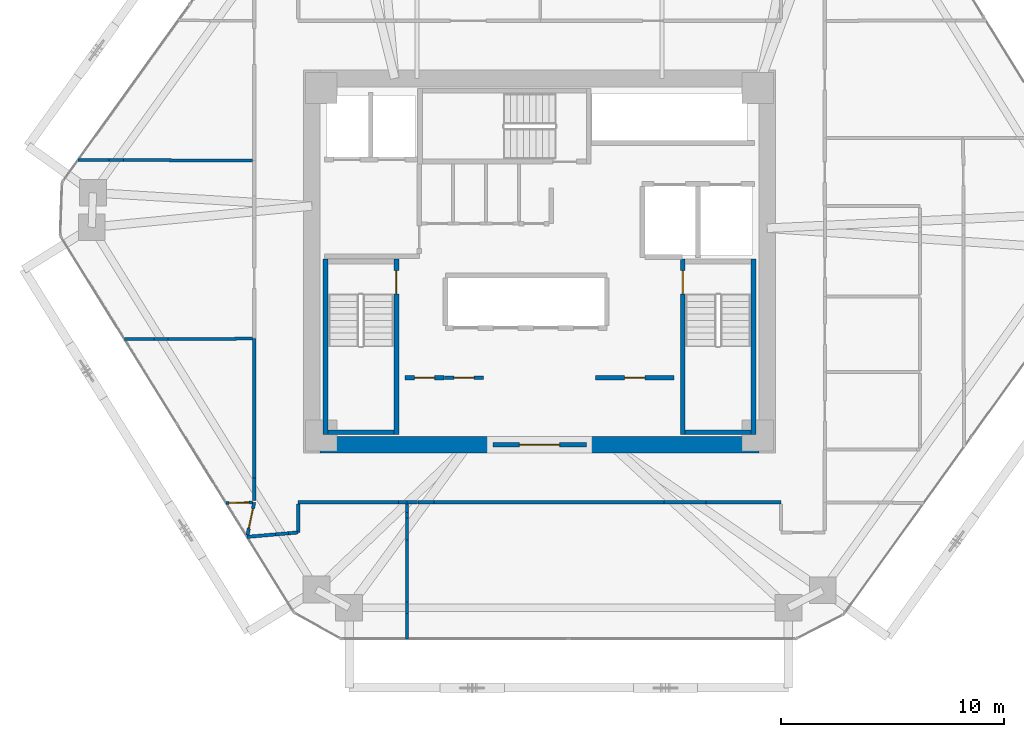
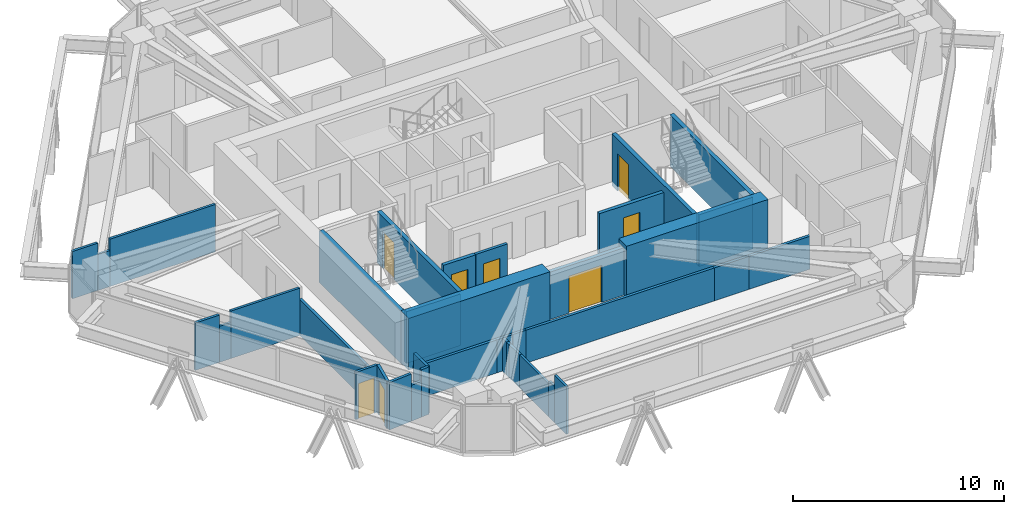
# One storey, part 12 of 17: 39 walls, 8 doors, 8 openings.
"""IFC4 building model written with IfcOpenShell, lengths in metres."""

from ifc_helpers import new_model, si_unit, direction, frame, frame_2d, origin, place, context, subcontext, project, spatial, rectangle, extrude, source, transform, mapped, material, layer, layer_set, type_object, type_shapes, element, fill, save


model = new_model("IFC4")

# Units and contexts
model_context = context("Model", 3, precision=1e-05, world=origin(), true_north=direction((0.0, 1.0)))
body_context = subcontext(model_context, "Body", "Model", "MODEL_VIEW")
ifc_project = project(units=[si_unit("LENGTHUNIT", "METRE"), si_unit("AREAUNIT", "SQUARE_METRE"), si_unit("VOLUMEUNIT", "CUBIC_METRE"), si_unit("PLANEANGLEUNIT", "RADIAN"), si_unit("MASSUNIT", "GRAM", prefix="KILO")], contexts=[model_context])

# Site, building, storey
site_placement = place(None, origin())
site = spatial("IfcSite", under=ifc_project, at=site_placement, CompositionType="ELEMENT")
building_placement = place(site_placement, origin())
building = spatial("IfcBuilding", under=site, at=building_placement, Name="Durnholm Broadcast Tower", CompositionType="ELEMENT")
storey_placement = place(building_placement, frame((0.0, 0.0, 137.10009765625)))
storey = spatial("IfcBuildingStorey", under=building, at=storey_placement, Name="L37", CompositionType="ELEMENT", Elevation=137.10009765625)

# Walls
ifc_material_1 = material(Name="Concrete C70/85", Category="concrete")
ifc_layer_1 = layer(ifc_material_1, 0.75)
ifc_layer_set_1 = layer_set([ifc_layer_1], Name="Concrete C70/85")
wall_type_1 = type_object("IfcWallType", Name="WALL-CW-750", PredefinedType="SHEAR", material=ifc_layer_set_1)
for number, where, z_axis, x_axis, name in (
    (1, (-9.85009765625, -8.22509765625, 0.0), (0.0, 0.0, 1.0), (1.0, 0.0, 0.0), "L37 central core shear wall CW-S1"),
    (2, (2.10009765625, -8.22509765625, 0.0), (0.0, 0.0, 1.0), (1.0, 0.0, 0.0), "L37 central core shear wall CW-S2"),
):
    element("IfcWall", number, at=place(storey_placement, frame(where, z_axis=z_axis, x_axis=x_axis)), inside=storey, type_object=wall_type_1, Name=name, PredefinedType="SHEAR", context=body_context, shape_type="SweptSolid", body=[
        extrude(rectangle(XDim=7.75, YDim=0.75, at=frame_2d((3.875, 0.0))), origin(), (0.0, 0.0, 1.0), 3.0),
    ])

# Wall, opening, door
ifc_material_2 = material(Name="Fire-Rated Gypsum Shaftwall", Category="concrete")
ifc_layer_2 = layer(ifc_material_2, 0.199951171875)
ifc_layer_set_2 = layer_set([ifc_layer_2], Name="Fire-Rated Gypsum Shaftwall")
wall_type_2 = type_object("IfcWallType", Name="WALL-LOB-200", PredefinedType="SOLIDWALL", material=ifc_layer_set_2)
wall_1_placement = place(storey_placement, frame((-2.10009765625, -8.22509765625, 0.0), z_axis=(0.0, 0.0, 1.0), x_axis=(1.0, 0.0, 0.0)))
wall_1 = element("IfcWall", 3, at=wall_1_placement, inside=storey, type_object=wall_type_2, Name="L37 south core lobby fire screen", PredefinedType="SOLIDWALL", context=body_context, shape_type="SweptSolid", body=[
    extrude(rectangle(XDim=4.2001953125, YDim=0.199951171875, at=frame_2d((2.10009765625, 0.0))), origin(), (0.0, 0.0, 1.0), 2.744873046875),
])
opening_1_placement = place(wall_1_placement, frame((1.199951171875, 0.0, 0.0)))
opening_1 = element("IfcOpeningElement", 4, at=opening_1_placement, cuts=wall_1, Name="Opening DP-60", PredefinedType="OPENING", context=body_context, shape_type="SweptSolid", body=[
    extrude(rectangle(XDim=1.800048828125, YDim=2.14990234375, at=frame_2d((0.89990234375, 1.074951171875))), frame((0.0, 0.10986328125, 0.0), z_axis=(0.0, -1.0, 0.0), x_axis=(1.0, 0.0, 0.0)), (0.0, 0.0, 1.0), 0.219970703125),
])
ifc_material_3 = material(Name="Fire-Rated Double Corridor Door", Category="steel")
ifc_layer_3 = layer(ifc_material_3, 0.050048828125)
ifc_layer_set_3 = layer_set([ifc_layer_3], Name="Fire-Rated Double Corridor Door")
door_type_1 = type_object("IfcDoorType", Name="DOOR-PAIR-FD60", OperationType="DOUBLE_DOOR_SINGLE_SWING", PredefinedType="DOOR", material=ifc_layer_set_3)
shared_shape_1 = source(origin(), body_context, "Body", "SweptSolid", [
    extrude(rectangle(XDim=1.800048828125, YDim=2.14990234375, at=frame_2d((0.89990234375, 1.074951171875))), frame((0.0, 0.02490234375, 0.0), z_axis=(0.0, -1.0, 0.0), x_axis=(1.0, 0.0, 0.0)), (0.0, 0.0, 1.0), 0.050048828125),
])
type_shapes(door_type_1, [shared_shape_1])
door_1_placement = place(opening_1_placement, origin())
door_1 = element("IfcDoor", 5, at=door_1_placement, inside=storey, type_object=door_type_1, Name="L37 south core lobby double fire door", OperationType="DOUBLE_DOOR_SINGLE_SWING", OverallHeight=2.14990234375, OverallWidth=1.800048828125, PredefinedType="DOOR", context=body_context, shape_type="MappedRepresentation", body=[
    mapped(shared_shape_1, transform((0.0, 0.0, 0.0), x_axis=(1.0, 0.0, 0.0), y_axis=(0.0, 1.0, 0.0), z_axis=(0.0, 0.0, 1.0), scale=1.0)),
])
fill(opening_1, door_1)

wall_2_placement = place(storey_placement, frame((-6.0400390625, -5.2099609375, 0.0), z_axis=(0.0, 0.0, 1.0), x_axis=(1.0, 0.0, 0.0)))
wall_2 = element("IfcWall", 6, at=wall_2_placement, inside=storey, type_object=wall_type_2, Name="L37 Media Fiber Patch Room corridor partition", PredefinedType="SOLIDWALL", context=body_context, shape_type="SweptSolid", body=[
    extrude(rectangle(XDim=1.760009765625, YDim=0.199951171875, at=frame_2d((0.8798828125, 0.0))), origin(), (0.0, 0.0, 1.0), 2.744873046875),
])
opening_2_placement = place(wall_2_placement, frame((0.429931640625, 0.0, 0.0)))
opening_2 = element("IfcOpeningElement", 7, at=opening_2_placement, cuts=wall_2, Name="Opening DC-60L", PredefinedType="OPENING", context=body_context, shape_type="SweptSolid", body=[
    extrude(rectangle(XDim=0.89990234375, YDim=2.050048828125, at=frame_2d((0.449951171875, 1.02490234375))), frame((0.0, 0.10986328125, 0.0), z_axis=(0.0, -1.0, 0.0), x_axis=(1.0, 0.0, 0.0)), (0.0, 0.0, 1.0), 0.219970703125),
])
ifc_material_4 = material(Name="Fire-Rated Core Service Door", Category="steel")
ifc_layer_4 = layer(ifc_material_4, 0.050048828125)
ifc_layer_set_4 = layer_set([ifc_layer_4], Name="Fire-Rated Core Service Door")
door_type_2 = type_object("IfcDoorType", Name="DOOR-CORE-FD60-L", OperationType="NOTDEFINED", PredefinedType="DOOR", material=ifc_layer_set_4)
shared_shape_2 = source(origin(), body_context, "Body", "SweptSolid", [
    extrude(rectangle(XDim=0.89990234375, YDim=2.050048828125, at=frame_2d((0.449951171875, 1.02490234375))), frame((0.0, 0.02490234375, 0.0), z_axis=(0.0, -1.0, 0.0), x_axis=(1.0, 0.0, 0.0)), (0.0, 0.0, 1.0), 0.050048828125),
])
type_shapes(door_type_2, [shared_shape_2])
door_2_placement = place(opening_2_placement, origin())
door_2 = element("IfcDoor", 8, at=door_2_placement, inside=storey, type_object=door_type_2, Name="L37 Media Fiber Patch Room entrance door", OperationType="SINGLE_SWING_LEFT", OverallHeight=2.050048828125, OverallWidth=0.89990234375, PredefinedType="DOOR", context=body_context, shape_type="MappedRepresentation", body=[
    mapped(shared_shape_2, transform((0.0, 0.0, 0.0), x_axis=(1.0, 0.0, 0.0), y_axis=(0.0, 1.0, 0.0), z_axis=(0.0, 0.0, 1.0), scale=1.0)),
])
fill(opening_2, door_2)

wall_3_placement = place(storey_placement, frame((2.510009765625, -5.2099609375, 0.0), z_axis=(0.0, 0.0, 1.0), x_axis=(1.0, 0.0, 0.0)))
wall_3 = element("IfcWall", 9, at=wall_3_placement, inside=storey, type_object=wall_type_2, Name="L37 Telemetry Control Closet corridor partition", PredefinedType="SOLIDWALL", context=body_context, shape_type="SweptSolid", body=[
    extrude(rectangle(XDim=3.530029296875, YDim=0.199951171875, at=frame_2d((1.76513671875, 0.0))), origin(), (0.0, 0.0, 1.0), 2.744873046875),
])
opening_3_placement = place(wall_3_placement, frame((1.31494140625, 0.0, 0.0)))
opening_3 = element("IfcOpeningElement", 10, at=opening_3_placement, cuts=wall_3, Name="Opening DC-60L", PredefinedType="OPENING", context=body_context, shape_type="SweptSolid", body=[
    extrude(rectangle(XDim=0.89990234375, YDim=2.050048828125, at=frame_2d((0.449951171875, 1.02490234375))), frame((0.0, 0.10986328125, 0.0), z_axis=(0.0, -1.0, 0.0), x_axis=(1.0, 0.0, 0.0)), (0.0, 0.0, 1.0), 0.219970703125),
])
door_3_placement = place(opening_3_placement, origin())
door_3 = element("IfcDoor", 11, at=door_3_placement, inside=storey, type_object=door_type_2, Name="L37 Telemetry Control Closet entrance door", OperationType="SINGLE_SWING_LEFT", OverallHeight=2.050048828125, OverallWidth=0.89990234375, PredefinedType="DOOR", context=body_context, shape_type="MappedRepresentation", body=[
    mapped(shared_shape_2, transform((0.0, 0.0, 0.0), x_axis=(1.0, 0.0, 0.0), y_axis=(0.0, 1.0, 0.0), z_axis=(0.0, 0.0, 1.0), scale=1.0)),
])
fill(opening_3, door_3)

# Walls
ifc_material_5 = material(Name="Gypsum Metal Stud Partition", Category="concrete")
ifc_layer_5 = layer(ifc_material_5, 0.135009765625)
ifc_layer_set_5 = layer_set([ifc_layer_5], Name="Gypsum Metal Stud Partition")
wall_type_3 = type_object("IfcWallType", Name="WALL-PART-135", PredefinedType="PARTITIONING", material=ifc_layer_set_5)
wall_4_placement = place(storey_placement, frame((-5.9599609375, -11.26123046875, 0.0), z_axis=(0.0, 0.0, 1.0), x_axis=(0.0, -1.0, 0.0)))
element("IfcWall", 12, at=wall_4_placement, inside=storey, type_object=wall_type_3, Name="L37 room dividing partition 14.15", PredefinedType="PARTITIONING", context=body_context, shape_type="SweptSolid", body=[
    extrude(rectangle(XDim=0.239501953125, YDim=0.135009765625, at=frame_2d((0.11962890625, 0.0))), origin(), (0.0, 0.0, 1.0), 1.912109375),
])
wall_5_placement = place(storey_placement, frame((-5.9599609375, -12.490966796875, 0.0), z_axis=(0.0, 0.0, 1.0), x_axis=(0.0, -1.0, 0.0)))
element("IfcWall", 13, at=wall_5_placement, inside=storey, type_object=wall_type_3, Name="L37 room dividing partition 14.15", PredefinedType="PARTITIONING", context=body_context, shape_type="SweptSolid", body=[
    extrude(rectangle(XDim=2.781494140625, YDim=0.135009765625, at=frame_2d((1.390625, 0.0))), origin(), (0.0, 0.0, 1.0), 1.912109375),
])
wall_6_placement = place(storey_placement, frame((-5.9599609375, -15.801513671875, 0.0), z_axis=(0.0, 0.0, 1.0), x_axis=(0.0, -1.0, 0.0)))
element("IfcWall", 14, at=wall_6_placement, inside=storey, type_object=wall_type_3, Name="L37 room dividing partition 14.15", PredefinedType="PARTITIONING", context=body_context, shape_type="SweptSolid", body=[
    extrude(rectangle(XDim=1.135498046875, YDim=0.135009765625, at=frame_2d((0.56787109375, 0.0))), origin(), (0.0, 0.0, 1.0), 2.744873046875),
])
wall_7_placement = place(storey_placement, frame((-5.9599609375, -10.888916015625, 0.0), z_axis=(0.0, 0.0, 1.0), x_axis=(0.0, -1.0, 0.0)))
element("IfcWall", 15, at=wall_7_placement, inside=storey, type_object=wall_type_3, Name="L37 room dividing partition 14.15", PredefinedType="PARTITIONING", context=body_context, shape_type="SweptSolid", body=[
    extrude(rectangle(XDim=0.372314453125, YDim=0.135009765625, at=frame_2d((0.18603515625, 0.0))), origin(), (0.0, 0.0, 1.0), 1.912109375),
])
wall_8_placement = place(storey_placement, frame((-5.9599609375, -11.500732421875, 0.0), z_axis=(0.0, 0.0, 1.0), x_axis=(0.0, -1.0, 0.0)))
element("IfcWall", 16, at=wall_8_placement, inside=storey, type_object=wall_type_3, Name="L37 room dividing partition 14.15", PredefinedType="PARTITIONING", context=body_context, shape_type="SweptSolid", body=[
    extrude(rectangle(XDim=0.990234375, YDim=0.135009765625, at=frame_2d((0.4951171875, 0.0))), origin(), (0.0, 0.0, 1.0), 1.912109375),
])
wall_9_placement = place(storey_placement, frame((-5.9599609375, -15.2724609375, 0.0), z_axis=(0.0, 0.0, 1.0), x_axis=(0.0, -1.0, 0.0)))
element("IfcWall", 17, at=wall_9_placement, inside=storey, type_object=wall_type_3, Name="L37 room dividing partition 14.15", PredefinedType="PARTITIONING", context=body_context, shape_type="SweptSolid", body=[
    extrude(rectangle(XDim=0.529052734375, YDim=0.135009765625, at=frame_2d((0.2646484375, 0.0))), origin(), (0.0, 0.0, 1.0), 2.079833984375),
])

# Wall, opening, door
wall_10_placement = place(storey_placement, frame((-14.075927734375, -10.8310546875, 0.0), z_axis=(0.0, 0.0, 1.0), x_axis=(0.999860796611, 0.016684945308, 0.0)))
wall_10 = element("IfcWall", 18, at=wall_10_placement, inside=storey, type_object=wall_type_3, Name="L37 room dividing partition 14.16", PredefinedType="PARTITIONING", context=body_context, shape_type="SweptSolid", body=[
    extrude(rectangle(XDim=1.185302734375, YDim=0.135009765625, at=frame_2d((0.5927734375, 0.0))), origin(), (0.0, 0.0, 1.0), 2.744873046875),
])
opening_4_placement = place(wall_10_placement, frame((0.142578125, 0.0, 0.0)))
opening_4 = element("IfcOpeningElement", 19, at=opening_4_placement, cuts=wall_10, Name="Opening DW-90L", PredefinedType="OPENING", context=body_context, shape_type="SweptSolid", body=[
    extrude(rectangle(XDim=0.89990234375, YDim=2.050048828125, at=frame_2d((0.449951171875, 1.02490234375))), frame((0.0, 0.07763671875, 0.0), z_axis=(0.0, -1.0, 0.0), x_axis=(1.0, 0.0, 0.0)), (0.0, 0.0, 1.0), 0.155029296875),
])
ifc_material_6 = material(Name="Laminate Restroom Door", Category="steel")
ifc_layer_6 = layer(ifc_material_6, 0.050048828125)
ifc_layer_set_6 = layer_set([ifc_layer_6], Name="Laminate Restroom Door")
door_type_3 = type_object("IfcDoorType", Name="DOOR-WC-900L", OperationType="NOTDEFINED", PredefinedType="DOOR", material=ifc_layer_set_6)
shared_shape_3 = source(origin(), body_context, "Body", "SweptSolid", [
    extrude(rectangle(XDim=0.89990234375, YDim=2.050048828125, at=frame_2d((0.449951171875, 1.02490234375))), frame((0.0, 0.02490234375, 0.0), z_axis=(0.0, -1.0, 0.0), x_axis=(1.0, 0.0, 0.0)), (0.0, 0.0, 1.0), 0.050048828125),
])
type_shapes(door_type_3, [shared_shape_3])
door_4_placement = place(opening_4_placement, origin())
door_4 = element("IfcDoor", 20, at=door_4_placement, inside=storey, type_object=door_type_3, Name="L37 Prop Store connecting door", OperationType="SINGLE_SWING_LEFT", OverallHeight=2.050048828125, OverallWidth=0.89990234375, PredefinedType="DOOR", context=body_context, shape_type="MappedRepresentation", body=[
    mapped(shared_shape_3, transform((0.0, 0.0, 0.0), x_axis=(1.0, 0.0, 0.0), y_axis=(0.0, 1.0, 0.0), z_axis=(0.0, 0.0, 1.0), scale=1.0)),
])
fill(opening_4, door_4)

# Walls
wall_11_placement = place(storey_placement, frame((-18.635009765625, -3.481201171875, 0.0), z_axis=(0.0, 0.0, 1.0), x_axis=(0.999993293726, 0.003662308345, 0.0)))
element("IfcWall", 21, at=wall_11_placement, inside=storey, type_object=wall_type_3, Name="L37 room dividing partition 16.17", PredefinedType="PARTITIONING", context=body_context, shape_type="SweptSolid", body=[
    extrude(rectangle(XDim=1.333251953125, YDim=0.135009765625, at=frame_2d((0.66650390625, 0.0))), origin(), (0.0, 0.0, 1.0), 2.744873046875),
])
wall_12_placement = place(storey_placement, frame((-16.680419921875, -3.47412109375, 0.0), z_axis=(0.0, 0.0, 1.0), x_axis=(0.99999326446, 0.003670290797, 0.0)))
element("IfcWall", 22, at=wall_12_placement, inside=storey, type_object=wall_type_3, Name="L37 room dividing partition 16.17", PredefinedType="PARTITIONING", context=body_context, shape_type="SweptSolid", body=[
    extrude(rectangle(XDim=3.79150390625, YDim=0.135009765625, at=frame_2d((1.895751953125, 0.0))), origin(), (0.0, 0.0, 1.0), 2.744873046875),
])
wall_13_placement = place(storey_placement, frame((-17.3017578125, -3.476318359375, 0.0), z_axis=(0.0, 0.0, 1.0), x_axis=(0.999993747188, 0.003536323664, 0.0)))
element("IfcWall", 23, at=wall_13_placement, inside=storey, type_object=wall_type_3, Name="L37 room dividing partition 16.17", PredefinedType="PARTITIONING", context=body_context, shape_type="SweptSolid", body=[
    extrude(rectangle(XDim=0.621337890625, YDim=0.135009765625, at=frame_2d((0.310546875, 0.0))), origin(), (0.0, 0.0, 1.0), 2.079833984375),
])
wall_14_placement = place(storey_placement, frame((-20.71630859375, 4.563232421875, 0.0), z_axis=(0.0, 0.0, 1.0), x_axis=(0.999995574274, -0.00297513559, 0.0)))
element("IfcWall", 24, at=wall_14_placement, inside=storey, type_object=wall_type_3, Name="L37 room dividing partition 17.18", PredefinedType="PARTITIONING", context=body_context, shape_type="SweptSolid", body=[
    extrude(rectangle(XDim=1.39501953125, YDim=0.135009765625, at=frame_2d((0.697509765625, 0.0))), origin(), (0.0, 0.0, 1.0), 2.744873046875),
])
wall_15_placement = place(storey_placement, frame((-18.671142578125, 4.557373046875, 0.0), z_axis=(0.0, 0.0, 1.0), x_axis=(0.999995632297, -0.002955568918, 0.0)))
element("IfcWall", 25, at=wall_15_placement, inside=storey, type_object=wall_type_3, Name="L37 room dividing partition 17.18", PredefinedType="PARTITIONING", context=body_context, shape_type="SweptSolid", body=[
    extrude(rectangle(XDim=5.7822265625, YDim=0.135009765625, at=frame_2d((2.89111328125, 0.0))), origin(), (0.0, 0.0, 1.0), 2.744873046875),
])
wall_16_placement = place(storey_placement, frame((-19.3212890625, 4.55908203125, 0.0), z_axis=(0.0, 0.0, 1.0), x_axis=(0.999996545211, -0.002628605263, 0.0)))
element("IfcWall", 26, at=wall_16_placement, inside=storey, type_object=wall_type_3, Name="L37 room dividing partition 17.18", PredefinedType="PARTITIONING", context=body_context, shape_type="SweptSolid", body=[
    extrude(rectangle(XDim=0.650146484375, YDim=0.135009765625, at=frame_2d((0.3251953125, 0.0))), origin(), (0.0, 0.0, 1.0), 2.079833984375),
])

# Wall, opening, door
ifc_material_7 = material(Name="Acoustic Gypsum Stud Partition", Category="concrete")
ifc_layer_7 = layer(ifc_material_7, 0.14990234375)
ifc_layer_set_7 = layer_set([ifc_layer_7], Name="Acoustic Gypsum Stud Partition")
wall_type_4 = type_object("IfcWallType", Name="WALL-PART-150", PredefinedType="PARTITIONING", material=ifc_layer_set_7)
wall_17_placement = place(storey_placement, frame((-4.260009765625, -5.2099609375, 0.0), z_axis=(0.0, 0.0, 1.0), x_axis=(1.0, 0.0, 0.0)))
wall_17 = element("IfcWall", 27, at=wall_17_placement, inside=storey, type_object=wall_type_4, Name="L37 Copy and Print Room corridor partition", PredefinedType="PARTITIONING", context=body_context, shape_type="SweptSolid", body=[
    extrude(rectangle(XDim=1.75, YDim=0.14990234375, at=frame_2d((0.875, 0.0))), origin(), (0.0, 0.0, 1.0), 2.744873046875),
])
opening_5_placement = place(wall_17_placement, frame((0.425048828125, 0.0, 0.0)))
opening_5 = element("IfcOpeningElement", 28, at=opening_5_placement, cuts=wall_17, Name="Opening DC-60R", PredefinedType="OPENING", context=body_context, shape_type="SweptSolid", body=[
    extrude(rectangle(XDim=0.89990234375, YDim=2.050048828125, at=frame_2d((0.449951171875, 1.02490234375))), frame((0.0, 0.0849609375, 0.0), z_axis=(0.0, -1.0, 0.0), x_axis=(1.0, 0.0, 0.0)), (0.0, 0.0, 1.0), 0.169921875),
])
ifc_layer_8 = layer(ifc_material_4, 0.050048828125)
ifc_layer_set_8 = layer_set([ifc_layer_8], Name="Fire-Rated Core Service Door")
door_type_4 = type_object("IfcDoorType", Name="DOOR-CORE-FD60-R", OperationType="NOTDEFINED", PredefinedType="DOOR", material=ifc_layer_set_8)
shared_shape_4 = source(origin(), body_context, "Body", "SweptSolid", [
    extrude(rectangle(XDim=0.89990234375, YDim=2.050048828125, at=frame_2d((0.449951171875, 1.02490234375))), frame((0.0, 0.02490234375, 0.0), z_axis=(0.0, -1.0, 0.0), x_axis=(1.0, 0.0, 0.0)), (0.0, 0.0, 1.0), 0.050048828125),
])
type_shapes(door_type_4, [shared_shape_4])
door_5_placement = place(opening_5_placement, origin())
door_5 = element("IfcDoor", 29, at=door_5_placement, inside=storey, type_object=door_type_4, Name="L37 Copy and Print Room entrance door", OperationType="SINGLE_SWING_RIGHT", OverallHeight=2.050048828125, OverallWidth=0.89990234375, PredefinedType="DOOR", context=body_context, shape_type="MappedRepresentation", body=[
    mapped(shared_shape_4, transform((0.0, 0.0, 0.0), x_axis=(1.0, 0.0, 0.0), y_axis=(0.0, 1.0, 0.0), z_axis=(0.0, 0.0, 1.0), scale=1.0)),
])
fill(opening_5, door_5)

# Walls
wall_18_placement = place(storey_placement, frame((-10.840087890625, -10.81005859375, 0.0), z_axis=(0.0, 0.0, 1.0), x_axis=(1.0, 0.0, 0.0)))
element("IfcWall", 30, at=wall_18_placement, inside=storey, type_object=wall_type_4, Name="L37 Open Plan Broadcast Workspace 5 corridor partition", PredefinedType="PARTITIONING", context=body_context, shape_type="SweptSolid", body=[
    extrude(rectangle(XDim=4.505615234375, YDim=0.14990234375, at=frame_2d((2.2529296875, 0.0))), origin(), (0.0, 0.0, 1.0), 1.912109375),
])
wall_19_placement = place(storey_placement, frame((-6.33447265625, -10.81005859375, 0.0), z_axis=(0.0, 0.0, 1.0), x_axis=(1.0, 0.0, 0.0)))
element("IfcWall", 31, at=wall_19_placement, inside=storey, type_object=wall_type_4, Name="L37 Open Plan Broadcast Workspace 5 corridor partition", PredefinedType="PARTITIONING", context=body_context, shape_type="SweptSolid", body=[
    extrude(rectangle(XDim=0.37451171875, YDim=0.14990234375, at=frame_2d((0.187255859375, 0.0))), origin(), (0.0, 0.0, 1.0), 1.912109375),
])
wall_20_placement = place(storey_placement, frame((-13.12890625, -12.35791015625, 0.0), z_axis=(0.0, 0.0, 1.0), x_axis=(0.996285787619, 0.086108242279, 0.0)))
element("IfcWall", 32, at=wall_20_placement, inside=storey, type_object=wall_type_4, Name="L37 Open Plan Broadcast Workspace 5 corridor partition", PredefinedType="PARTITIONING", context=body_context, shape_type="SweptSolid", body=[
    extrude(rectangle(XDim=1.27294921875, YDim=0.14990234375, at=frame_2d((0.636474609375, 0.0))), origin(), (0.0, 0.0, 1.0), 2.744873046875),
])
wall_21_placement = place(storey_placement, frame((-11.269775390625, -12.197021484375, 0.0), z_axis=(0.0, 0.0, 1.0), x_axis=(0.996291394281, 0.086043347688, 0.0)))
element("IfcWall", 33, at=wall_21_placement, inside=storey, type_object=wall_type_4, Name="L37 Open Plan Broadcast Workspace 5 corridor partition", PredefinedType="PARTITIONING", context=body_context, shape_type="SweptSolid", body=[
    extrude(rectangle(XDim=0.431396484375, YDim=0.14990234375, at=frame_2d((0.2158203125, 0.0))), origin(), (0.0, 0.0, 1.0), 2.744873046875),
])
wall_22_placement = place(storey_placement, frame((-11.860595703125, -12.248291015625, 0.0), z_axis=(0.0, 0.0, 1.0), x_axis=(0.996256019863, 0.086451968666, 0.0)))
element("IfcWall", 34, at=wall_22_placement, inside=storey, type_object=wall_type_4, Name="L37 Open Plan Broadcast Workspace 5 corridor partition", PredefinedType="PARTITIONING", context=body_context, shape_type="SweptSolid", body=[
    extrude(rectangle(XDim=0.593017578125, YDim=0.14990234375, at=frame_2d((0.29638671875, 0.0))), origin(), (0.0, 0.0, 1.0), 2.079833984375),
])

# Wall, opening, door
wall_23_placement = place(storey_placement, frame((-12.81005859375, -10.81005859375, 0.0), z_axis=(0.0, 0.0, 1.0), x_axis=(-0.201786289638, -0.979429575474, 0.0)))
wall_23 = element("IfcWall", 35, at=wall_23_placement, inside=storey, type_object=wall_type_4, Name="L37 Open Plan Broadcast Workspace 5 corridor partition", PredefinedType="PARTITIONING", context=body_context, shape_type="SweptSolid", body=[
    extrude(rectangle(XDim=1.497802734375, YDim=0.14990234375, at=frame_2d((0.7490234375, 0.0))), origin(), (0.0, 0.0, 1.0), 2.744873046875),
])
opening_6_placement = place(wall_23_placement, frame((0.299072265625, 0.0, 0.0)))
opening_6 = element("IfcOpeningElement", 36, at=opening_6_placement, cuts=wall_23, Name="Opening DW-90L", PredefinedType="OPENING", context=body_context, shape_type="SweptSolid", body=[
    extrude(rectangle(XDim=0.89990234375, YDim=2.050048828125, at=frame_2d((0.449951171875, 1.02490234375))), frame((0.0, 0.0849609375, 0.0), z_axis=(0.0, -1.0, 0.0), x_axis=(1.0, 0.0, 0.0)), (0.0, 0.0, 1.0), 0.169921875),
])
door_6_placement = place(opening_6_placement, origin())
door_6 = element("IfcDoor", 37, at=door_6_placement, inside=storey, type_object=door_type_3, Name="L37 Open Plan Broadcast Workspace 5 entrance door", OperationType="SINGLE_SWING_LEFT", OverallHeight=2.050048828125, OverallWidth=0.89990234375, PredefinedType="DOOR", context=body_context, shape_type="MappedRepresentation", body=[
    mapped(shared_shape_3, transform((0.0, 0.0, 0.0), x_axis=(1.0, 0.0, 0.0), y_axis=(0.0, 1.0, 0.0), z_axis=(0.0, 0.0, 1.0), scale=1.0)),
])
fill(opening_6, door_6)

# Walls
wall_24_placement = place(storey_placement, frame((-10.840087890625, -12.159912109375, 0.0), z_axis=(0.0, 0.0, 1.0), x_axis=(0.0, 1.0, 0.0)))
element("IfcWall", 38, at=wall_24_placement, inside=storey, type_object=wall_type_4, Name="L37 Open Plan Broadcast Workspace 5 corridor partition", PredefinedType="PARTITIONING", context=body_context, shape_type="SweptSolid", body=[
    extrude(rectangle(XDim=1.27099609375, YDim=0.14990234375, at=frame_2d((0.635498046875, 0.0))), origin(), (0.0, 0.0, 1.0), 2.744873046875),
])
wall_25_placement = place(storey_placement, frame((-4.7294921875, -10.81005859375, 0.0), z_axis=(0.0, 0.0, 1.0), x_axis=(1.0, 0.0, 0.0)))
element("IfcWall", 39, at=wall_25_placement, inside=storey, type_object=wall_type_4, Name="L37 Studio Kitchen corridor partition", PredefinedType="PARTITIONING", context=body_context, shape_type="SweptSolid", body=[
    extrude(rectangle(XDim=10.31640625, YDim=0.14990234375, at=frame_2d((5.158203125, 0.0))), origin(), (0.0, 0.0, 1.0), 1.912109375),
])
wall_26_placement = place(storey_placement, frame((7.484130859375, -10.81005859375, 0.0), z_axis=(0.0, 0.0, 1.0), x_axis=(1.0, 0.0, 0.0)))
element("IfcWall", 40, at=wall_26_placement, inside=storey, type_object=wall_type_4, Name="L37 Studio Kitchen corridor partition", PredefinedType="PARTITIONING", context=body_context, shape_type="SweptSolid", body=[
    extrude(rectangle(XDim=3.35595703125, YDim=0.14990234375, at=frame_2d((1.677978515625, 0.0))), origin(), (0.0, 0.0, 1.0), 1.912109375),
])
wall_27_placement = place(storey_placement, frame((-5.9599609375, -10.81005859375, 0.0), z_axis=(0.0, 0.0, 1.0), x_axis=(1.0, 0.0, 0.0)))
element("IfcWall", 41, at=wall_27_placement, inside=storey, type_object=wall_type_4, Name="L37 Studio Kitchen corridor partition", PredefinedType="PARTITIONING", context=body_context, shape_type="SweptSolid", body=[
    extrude(rectangle(XDim=0.47314453125, YDim=0.14990234375, at=frame_2d((0.236572265625, 0.0))), origin(), (0.0, 0.0, 1.0), 1.912109375),
])
wall_28_placement = place(storey_placement, frame((-5.45458984375, -10.81005859375, 0.0), z_axis=(0.0, 0.0, 1.0), x_axis=(1.0, 0.0, 0.0)))
element("IfcWall", 42, at=wall_28_placement, inside=storey, type_object=wall_type_4, Name="L37 Studio Kitchen corridor partition", PredefinedType="PARTITIONING", context=body_context, shape_type="SweptSolid", body=[
    extrude(rectangle(XDim=0.72509765625, YDim=0.14990234375, at=frame_2d((0.362548828125, 0.0))), origin(), (0.0, 0.0, 1.0), 1.912109375),
])
wall_29_placement = place(storey_placement, frame((5.5869140625, -10.81005859375, 0.0), z_axis=(0.0, 0.0, 1.0), x_axis=(1.0, 0.0, 0.0)))
element("IfcWall", 43, at=wall_29_placement, inside=storey, type_object=wall_type_4, Name="L37 Studio Kitchen corridor partition", PredefinedType="PARTITIONING", context=body_context, shape_type="SweptSolid", body=[
    extrude(rectangle(XDim=1.897216796875, YDim=0.14990234375, at=frame_2d((0.94873046875, 0.0))), origin(), (0.0, 0.0, 1.0), 1.912109375),
])
wall_30_placement = place(storey_placement, frame((-12.81005859375, -3.4599609375, 0.0), z_axis=(0.0, 0.0, 1.0), x_axis=(0.0, -1.0, 0.0)))
element("IfcWall", 44, at=wall_30_placement, inside=storey, type_object=wall_type_4, Name="L37 Prop Store corridor partition", PredefinedType="PARTITIONING", context=body_context, shape_type="SweptSolid", body=[
    extrude(rectangle(XDim=6.254150390625, YDim=0.14990234375, at=frame_2d((3.126953125, 0.0))), origin(), (0.0, 0.0, 1.0), 2.079833984375),
])
wall_31_placement = place(storey_placement, frame((-12.81005859375, -9.714111328125, 0.0), z_axis=(0.0, 0.0, 1.0), x_axis=(0.0, -1.0, 0.0)))
element("IfcWall", 45, at=wall_31_placement, inside=storey, type_object=wall_type_4, Name="L37 Prop Store corridor partition", PredefinedType="PARTITIONING", context=body_context, shape_type="SweptSolid", body=[
    extrude(rectangle(XDim=1.003662109375, YDim=0.14990234375, at=frame_2d((0.501953125, 0.0))), origin(), (0.0, 0.0, 1.0), 2.079833984375),
])

# Wall, opening, door
ifc_material_8 = material(Name="Concrete C50/60", Category="concrete")
ifc_layer_9 = layer(ifc_material_8, 0.219970703125)
ifc_layer_set_9 = layer_set([ifc_layer_9], Name="Concrete C50/60")
wall_type_5 = type_object("IfcWallType", Name="WALL-SW-220", PredefinedType="SHEAR", material=ifc_layer_set_9)
wall_32_placement = place(storey_placement, frame((-6.429931640625, -7.77001953125, -0.239990234375), z_axis=(0.0, 0.0, 1.0), x_axis=(0.0, 1.0, 0.0)))
wall_32 = element("IfcWall", 46, at=wall_32_placement, inside=storey, type_object=wall_type_5, Name="L37 stair ST-1 structural shaft wall E", PredefinedType="SHEAR", context=body_context, shape_type="SweptSolid", body=[
    extrude(rectangle(XDim=7.89013671875, YDim=0.219970703125, at=frame_2d((3.945068359375, 0.0))), origin(), (0.0, 0.0, 1.0), 3.0),
])
opening_7_placement = place(wall_32_placement, frame((6.320068359375, 0.0, 0.0)))
opening_7 = element("IfcOpeningElement", 47, at=opening_7_placement, cuts=wall_32, Name="Opening DS-90L", PredefinedType="OPENING", context=body_context, shape_type="SweptSolid", body=[
    extrude(rectangle(XDim=1.050048828125, YDim=2.14990234375, at=frame_2d((0.52490234375, 1.074951171875))), frame((0.0, 0.1201171875, 0.0), z_axis=(0.0, -1.0, 0.0), x_axis=(1.0, 0.0, 0.0)), (0.0, 0.0, 1.0), 0.239990234375),
])
ifc_material_9 = material(Name="Fire-Rated Steel Door", Category="steel")
ifc_layer_10 = layer(ifc_material_9, 0.050048828125)
ifc_layer_set_10 = layer_set([ifc_layer_10], Name="Fire-Rated Steel Door")
door_type_5 = type_object("IfcDoorType", Name="DOOR-ST-FD90-L", OperationType="NOTDEFINED", PredefinedType="DOOR", material=ifc_layer_set_10)
shared_shape_5 = source(origin(), body_context, "Body", "SweptSolid", [
    extrude(rectangle(XDim=1.050048828125, YDim=2.14990234375, at=frame_2d((0.52490234375, 1.074951171875))), frame((0.0, 0.02490234375, 0.0), z_axis=(0.0, -1.0, 0.0), x_axis=(1.0, 0.0, 0.0)), (0.0, 0.0, 1.0), 0.050048828125),
])
type_shapes(door_type_5, [shared_shape_5])
door_7_placement = place(opening_7_placement, origin())
door_7 = element("IfcDoor", 48, at=door_7_placement, inside=storey, type_object=door_type_5, Name="L37 exit stair ST-1 fire door", OperationType="SINGLE_SWING_LEFT", OverallHeight=2.14990234375, OverallWidth=1.050048828125, PredefinedType="DOOR", context=body_context, shape_type="MappedRepresentation", body=[
    mapped(shared_shape_5, transform((0.0, 0.0, 0.0), x_axis=(1.0, 0.0, 0.0), y_axis=(0.0, 1.0, 0.0), z_axis=(0.0, 0.0, 1.0), scale=1.0)),
])
fill(opening_7, door_7)

# Walls
wall_33_placement = place(storey_placement, frame((-9.610107421875, 0.1201171875, -0.239990234375), z_axis=(0.0, 0.0, 1.0), x_axis=(0.0, -1.0, 0.0)))
element("IfcWall", 49, at=wall_33_placement, inside=storey, type_object=wall_type_5, Name="L37 stair ST-1 structural shaft wall W", PredefinedType="SHEAR", context=body_context, shape_type="SweptSolid", body=[
    extrude(rectangle(XDim=7.89013671875, YDim=0.219970703125, at=frame_2d((3.945068359375, 0.0))), origin(), (0.0, 0.0, 1.0), 3.0),
])
wall_34_placement = place(storey_placement, frame((-9.5, -7.659912109375, -0.239990234375), z_axis=(0.0, 0.0, 1.0), x_axis=(1.0, 0.0, 0.0)))
element("IfcWall", 50, at=wall_34_placement, inside=storey, type_object=wall_type_5, Name="L37 stair ST-1 structural shaft wall S", PredefinedType="SHEAR", context=body_context, shape_type="SweptSolid", body=[
    extrude(rectangle(XDim=2.9599609375, YDim=0.219970703125, at=frame_2d((1.47998046875, 0.0))), origin(), (0.0, 0.0, 1.0), 3.0),
])
wall_35_placement = place(storey_placement, frame((9.610107421875, -7.77001953125, -0.239990234375), z_axis=(0.0, 0.0, 1.0), x_axis=(0.0, 1.0, 0.0)))
element("IfcWall", 51, at=wall_35_placement, inside=storey, type_object=wall_type_5, Name="L37 stair ST-2 structural shaft wall E", PredefinedType="SHEAR", context=body_context, shape_type="SweptSolid", body=[
    extrude(rectangle(XDim=7.89013671875, YDim=0.219970703125, at=frame_2d((3.945068359375, 0.0))), origin(), (0.0, 0.0, 1.0), 3.0),
])

# Wall, opening, door
wall_36_placement = place(storey_placement, frame((6.429931640625, 0.1201171875, -0.239990234375), z_axis=(0.0, 0.0, 1.0), x_axis=(0.0, -1.0, 0.0)))
wall_36 = element("IfcWall", 52, at=wall_36_placement, inside=storey, type_object=wall_type_5, Name="L37 stair ST-2 structural shaft wall W", PredefinedType="SHEAR", context=body_context, shape_type="SweptSolid", body=[
    extrude(rectangle(XDim=7.89013671875, YDim=0.219970703125, at=frame_2d((3.945068359375, 0.0))), origin(), (0.0, 0.0, 1.0), 3.0),
])
opening_8_placement = place(wall_36_placement, frame((0.52001953125, 0.0, 0.0)))
opening_8 = element("IfcOpeningElement", 53, at=opening_8_placement, cuts=wall_36, Name="Opening DS-90R", PredefinedType="OPENING", context=body_context, shape_type="SweptSolid", body=[
    extrude(rectangle(XDim=1.050048828125, YDim=2.14990234375, at=frame_2d((0.52490234375, 1.074951171875))), frame((0.0, 0.1201171875, 0.0), z_axis=(0.0, -1.0, 0.0), x_axis=(1.0, 0.0, 0.0)), (0.0, 0.0, 1.0), 0.239990234375),
])
ifc_layer_11 = layer(ifc_material_9, 0.050048828125)
ifc_layer_set_11 = layer_set([ifc_layer_11], Name="Fire-Rated Steel Door")
door_type_6 = type_object("IfcDoorType", Name="DOOR-ST-FD90-R", OperationType="NOTDEFINED", PredefinedType="DOOR", material=ifc_layer_set_11)
shared_shape_6 = source(origin(), body_context, "Body", "SweptSolid", [
    extrude(rectangle(XDim=1.050048828125, YDim=2.14990234375, at=frame_2d((0.52490234375, 1.074951171875))), frame((0.0, 0.02490234375, 0.0), z_axis=(0.0, -1.0, 0.0), x_axis=(1.0, 0.0, 0.0)), (0.0, 0.0, 1.0), 0.050048828125),
])
type_shapes(door_type_6, [shared_shape_6])
door_8_placement = place(opening_8_placement, origin())
door_8 = element("IfcDoor", 54, at=door_8_placement, inside=storey, type_object=door_type_6, Name="L37 exit stair ST-2 fire door", OperationType="SINGLE_SWING_RIGHT", OverallHeight=2.14990234375, OverallWidth=1.050048828125, PredefinedType="DOOR", context=body_context, shape_type="MappedRepresentation", body=[
    mapped(shared_shape_6, transform((0.0, 0.0, 0.0), x_axis=(1.0, 0.0, 0.0), y_axis=(0.0, 1.0, 0.0), z_axis=(0.0, 0.0, 1.0), scale=1.0)),
])
fill(opening_8, door_8)

# Wall
wall_37_placement = place(storey_placement, frame((6.5400390625, -7.659912109375, -0.239990234375), z_axis=(0.0, 0.0, 1.0), x_axis=(1.0, 0.0, 0.0)))
element("IfcWall", 55, at=wall_37_placement, inside=storey, type_object=wall_type_5, Name="L37 stair ST-2 structural shaft wall S", PredefinedType="SHEAR", context=body_context, shape_type="SweptSolid", body=[
    extrude(rectangle(XDim=2.9599609375, YDim=0.219970703125, at=frame_2d((1.47998046875, 0.0))), origin(), (0.0, 0.0, 1.0), 3.0),
])

save(model, "model.ifc")
